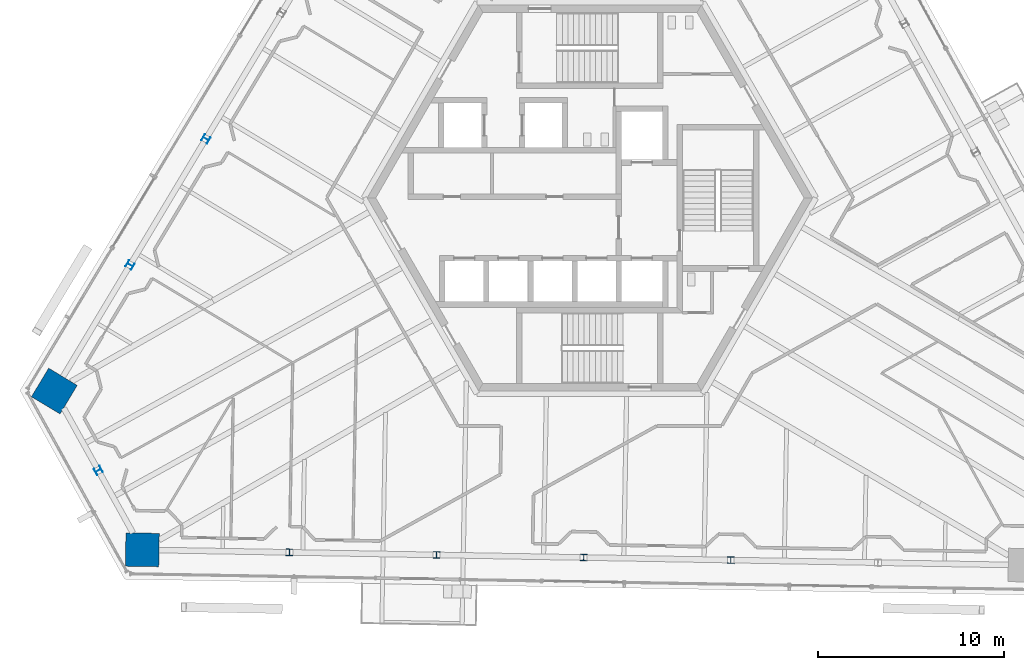
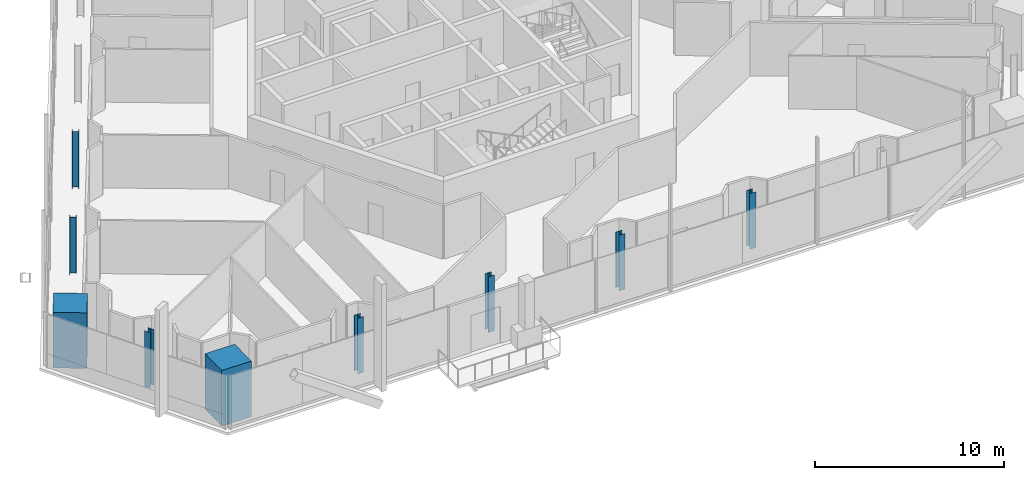
# One storey, part 1 of 22: 9 columns.
"""IFC4 building model written with IfcOpenShell, lengths in metres."""

from ifc_helpers import new_model, si_unit, direction, frame, origin, origin_2d, place, context, subcontext, project, spatial, rectangle, i_section, extrude, source, transform, mapped, material, material_profile, profile_set, type_object, element, save


model = new_model("IFC4")

# Units and contexts
model_context = context("Model", 3, precision=1e-05, world=origin(), true_north=direction((0.0, 1.0)))
body_context = subcontext(model_context, "Body", "Model", "MODEL_VIEW")
ifc_project = project(units=[si_unit("LENGTHUNIT", "METRE"), si_unit("AREAUNIT", "SQUARE_METRE"), si_unit("VOLUMEUNIT", "CUBIC_METRE"), si_unit("PLANEANGLEUNIT", "RADIAN"), si_unit("MASSUNIT", "GRAM", prefix="KILO")], contexts=[model_context])

# Site, building, storey
site_placement = place(None, origin())
site = spatial("IfcSite", under=ifc_project, at=site_placement, CompositionType="ELEMENT")
building_placement = place(site_placement, origin())
building = spatial("IfcBuilding", under=site, at=building_placement, Name="Triune Harvest Tower", CompositionType="ELEMENT")
storey_placement = place(building_placement, frame((0.0, 0.0, 208.699951171875)))
storey = spatial("IfcBuildingStorey", under=building, at=storey_placement, Name="L54", CompositionType="ELEMENT", Elevation=208.699951171875)

# Columns
ifc_material_1 = material(Name="Concrete 70 MPa", Category="concrete")
ifc_material_profile_1 = material_profile(ifc_material_1, rectangle(XDim=1.800048828125, YDim=1.800048828125, at=origin_2d()), Name="Composite 1800x1800")
ifc_profile_set_1 = profile_set([ifc_material_profile_1], Name="Concrete 70 MPa")
column_type_1 = type_object("IfcColumnType", Name="MC-5 Mega column Composite 1800x1800", PredefinedType="COLUMN", material=ifc_profile_set_1)
shared_shape_1 = source(origin(), body_context, "Body", "SweptSolid", [
    extrude(rectangle(XDim=1.800048828125, YDim=1.800048828125, at=origin_2d()), origin(), (0.0, 0.0, 1.0), 3.60009765625),
])
for number, where, z_axis, x_axis, name in (
    (1, (-28.85595703125, -10.406005859375, 0.0), (0.0, 0.0, 1.0), (-0.51503657887, -0.857168199612, 0.0), "col/L54/M14"),
    (2, (-24.1162109375, -18.956787109375, 0.0), (0.0, 0.0, 1.0), (0.999847695156, -0.017452406437, 0.0), "col/L54/M16"),
):
    element("IfcColumn", number, at=place(storey_placement, frame(where, z_axis=z_axis, x_axis=x_axis)), inside=storey, type_object=column_type_1, Name=name, PredefinedType="COLUMN", context=body_context, shape_type="MappedRepresentation", body=[
        mapped(shared_shape_1, transform((0.0, 0.0, 0.0), scale=1.0)),
    ])
ifc_material_2 = material(Name="Steel ASTM A992 Gr 50", Category="steel")
ifc_material_profile_2 = material_profile(ifc_material_2, i_section(OverallWidth=0.370849609375, OverallDepth=0.36328125, WebThickness=0.013427734375, FlangeThickness=0.021728515625, at=origin_2d()), Name="W14x109")
ifc_profile_set_2 = profile_set([ifc_material_profile_2], Name="Steel ASTM A992 Gr 50")
column_type_2 = type_object("IfcColumnType", Name="PC-5 Perimeter column W14x109", PredefinedType="COLUMN", material=ifc_profile_set_2)
shared_shape_2 = source(origin(), body_context, "Body", "SweptSolid", [
    extrude(i_section(OverallWidth=0.370849609375, OverallDepth=0.36328125, WebThickness=0.013427734375, FlangeThickness=0.021728515625, at=origin_2d()), origin(), (0.0, 0.0, 1.0), 3.60009765625),
])
for number, where, z_axis, x_axis, name in (
    (3, (-20.6904296875, 3.183837890625, 0.0), (0.0, 0.0, 1.0), (-0.51503657887, -0.857168199612, 0.0), "col/L54/P12"),
    (4, (-24.773193359375, -3.611083984375, 0.0), (0.0, 0.0, 1.0), (-0.51503657887, -0.857168199612, 0.0), "col/L54/P13"),
    (5, (-26.486083984375, -14.681396484375, 0.0), (0.0, 0.0, 1.0), (0.484808093746, -0.87462055329, 0.0), "col/L54/P15"),
    (6, (-16.190185546875, -19.09521484375, 0.0), (0.0, 0.0, 1.0), (0.999847695156, -0.017452406437, 0.0), "col/L54/P17"),
    (7, (-8.26416015625, -19.233642578125, 0.0), (0.0, 0.0, 1.0), (0.999847695156, -0.017452406437, 0.0), "col/L54/P18"),
    (8, (-0.338134765625, -19.3720703125, 0.0), (0.0, 0.0, 1.0), (0.999847695156, -0.017452406437, 0.0), "col/L54/P19"),
    (9, (7.587890625, -19.510498046875, 0.0), (0.0, 0.0, 1.0), (0.999847695156, -0.017452406437, 0.0), "col/L54/P20"),
):
    element("IfcColumn", number, at=place(storey_placement, frame(where, z_axis=z_axis, x_axis=x_axis)), inside=storey, type_object=column_type_2, Name=name, PredefinedType="COLUMN", context=body_context, shape_type="MappedRepresentation", body=[
        mapped(shared_shape_2, transform((0.0, 0.0, 0.0), scale=1.0)),
    ])

save(model, "model.ifc")
